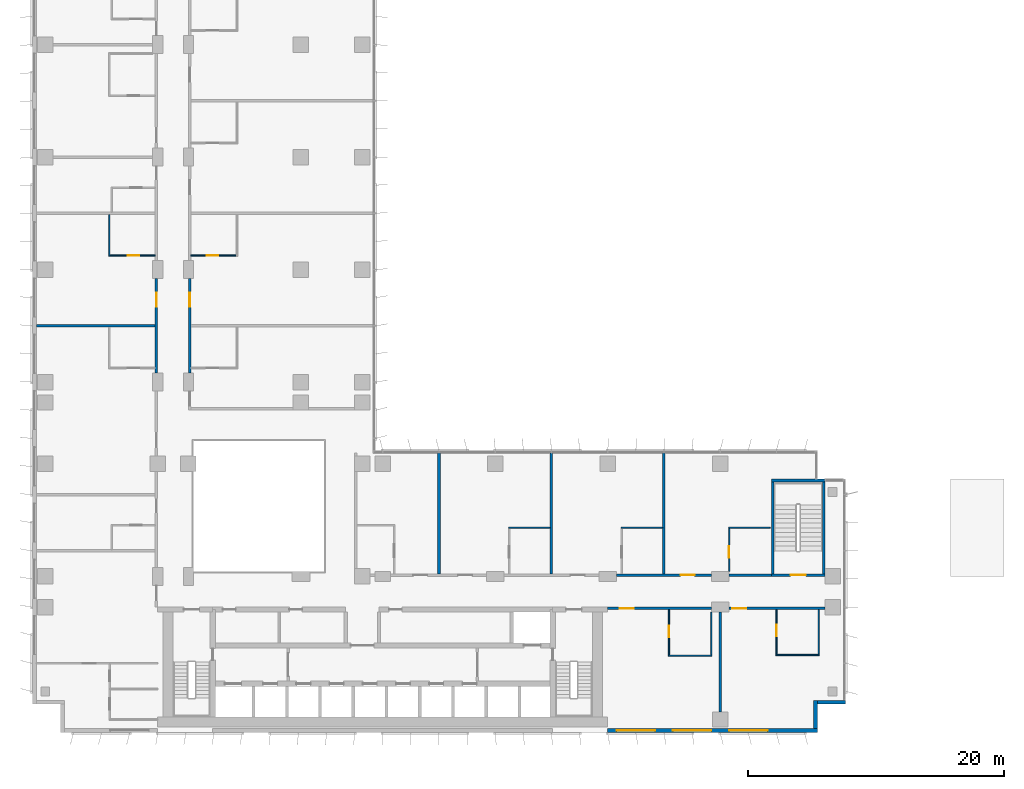
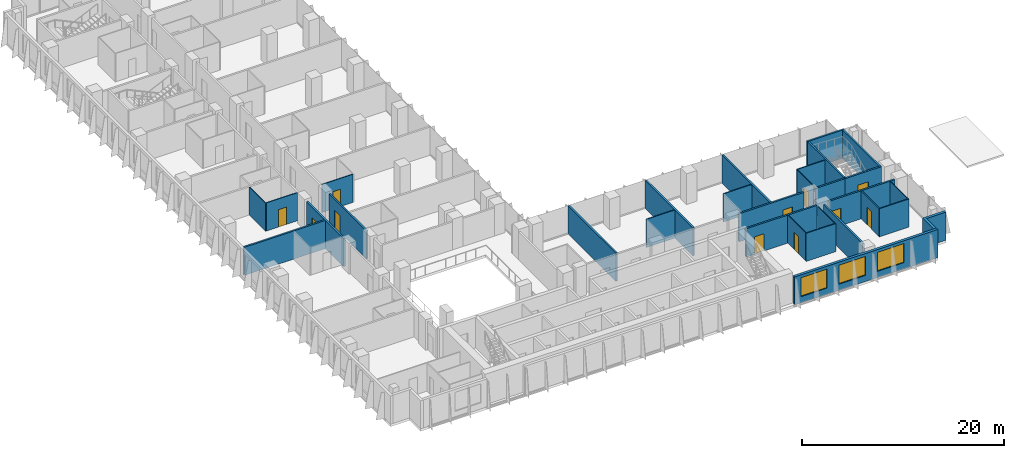
# One storey, part 15 of 22: 31 walls, 11 doors, 3 windows, 14 openings.
"""IFC4 building model written with IfcOpenShell, lengths in metres."""

from ifc_helpers import new_model, si_unit, direction, frame, frame_2d, origin, place, context, subcontext, project, spatial, rectangle, extrude, material, layer, layer_set, type_object, element, fill, save


model = new_model("IFC4")

# Units and contexts
model_context = context("Model", 3, precision=1e-05, world=origin(), true_north=direction((0.0, 1.0)))
body_context = subcontext(model_context, "Body", "Model", "MODEL_VIEW")
ifc_project = project(units=[si_unit("LENGTHUNIT", "METRE"), si_unit("AREAUNIT", "SQUARE_METRE"), si_unit("VOLUMEUNIT", "CUBIC_METRE"), si_unit("PLANEANGLEUNIT", "RADIAN"), si_unit("MASSUNIT", "GRAM", prefix="KILO")], contexts=[model_context])

# Site, building, storey
site_placement = place(None, origin())
site = spatial("IfcSite", under=ifc_project, at=site_placement, CompositionType="ELEMENT")
building_placement = place(site_placement, origin())
building = spatial("IfcBuilding", under=site, at=building_placement, Name="Kemantara Hotel Tower", CompositionType="ELEMENT")
storey_placement = place(building_placement, frame((0.0, 0.0, 87.10009765625)))
storey = spatial("IfcBuildingStorey", under=building, at=storey_placement, Name="L20", CompositionType="ELEMENT", Elevation=87.10009765625)

# Wall, openings, windows
ifc_material_1 = material(Name="Bronze anodised aluminium cladding on insulated steel stud wall", Category="steel")
ifc_layer_1 = layer(ifc_material_1, 0.300048828125)
ifc_layer_set_1 = layer_set([ifc_layer_1], Name="Bronze anodised aluminium cladding on insulated steel stud wall")
wall_type_1 = type_object("IfcWallType", Name="BRONZE METAL-CLAD EXTERNAL WALL 300", PredefinedType="STANDARD", material=ifc_layer_set_1)
wall_1_placement = place(storey_placement, frame((45.0, 0.14990234375, 0.0), z_axis=(0.0, 0.0, 1.0), x_axis=(1.0, 0.0, 0.0)))
wall_1 = element("IfcWall", 1, at=wall_1_placement, inside=storey, type_object=wall_type_1, Name="EXTERNAL WALL L20 T2-R07-3", PredefinedType="STANDARD", context=body_context, shape_type="SweptSolid", body=[
    extrude(rectangle(XDim=16.39990234375, YDim=0.300048828125, at=frame_2d((8.199951171875, 0.0))), origin(), (0.0, 0.0, 1.0), 3.39990234375),
])
opening_1_placement = place(wall_1_placement, frame((0.699951171875, 0.0, 0.75)))
opening_1 = element("IfcOpeningElement", 2, at=opening_1_placement, cuts=wall_1, Name="Opening W1", PredefinedType="OPENING", context=body_context, shape_type="SweptSolid", body=[
    extrude(rectangle(XDim=3.0, YDim=2.300048828125, at=frame_2d((1.5, 1.14990234375))), frame((0.0, 0.159912109375, 0.0), z_axis=(0.0, -1.0, 0.0), x_axis=(1.0, 0.0, 0.0)), (0.0, 0.0, 1.0), 0.320068359375),
])
opening_2_placement = place(wall_1_placement, frame((5.10009765625, 0.0, 0.75)))
opening_2 = element("IfcOpeningElement", 3, at=opening_2_placement, cuts=wall_1, Name="Opening W1", PredefinedType="OPENING", context=body_context, shape_type="SweptSolid", body=[
    extrude(rectangle(XDim=3.0, YDim=2.300048828125, at=frame_2d((1.5, 1.14990234375))), frame((0.0, 0.159912109375, 0.0), z_axis=(0.0, -1.0, 0.0), x_axis=(1.0, 0.0, 0.0)), (0.0, 0.0, 1.0), 0.320068359375),
])
opening_3_placement = place(wall_1_placement, frame((9.5, 0.0, 0.75)))
opening_3 = element("IfcOpeningElement", 4, at=opening_3_placement, cuts=wall_1, Name="Opening W1", PredefinedType="OPENING", context=body_context, shape_type="SweptSolid", body=[
    extrude(rectangle(XDim=3.0, YDim=2.300048828125, at=frame_2d((1.5, 1.14990234375))), frame((0.0, 0.159912109375, 0.0), z_axis=(0.0, -1.0, 0.0), x_axis=(1.0, 0.0, 0.0)), (0.0, 0.0, 1.0), 0.320068359375),
])
ifc_material_2 = material(Name="Low-E tinted double insulated glass in bronze anodised aluminium frame", Category="aluminium")
window_type = type_object("IfcWindowType", Name="CHICAGO WINDOW, TRIPLE PANEL 3000x2300", PartitioningType="TRIPLE_PANEL_VERTICAL", PredefinedType="WINDOW", material=ifc_material_2)
window_1_placement = place(opening_1_placement, origin())
window_1 = element("IfcWindow", 5, at=window_1_placement, inside=storey, type_object=window_type, Name="CHICAGO WINDOW L20 T2-R07-450", OverallHeight=2.300048828125, OverallWidth=3.0, PartitioningType="SINGLE_PANEL", PredefinedType="WINDOW", context=body_context, shape_type="SweptSolid", body=[
    extrude(rectangle(XDim=3.0, YDim=2.300048828125, at=frame_2d((1.5, 1.14990234375))), frame((0.0, 0.030029296875, 0.0), z_axis=(0.0, -1.0, 0.0), x_axis=(1.0, 0.0, 0.0)), (0.0, 0.0, 1.0), 0.06005859375),
])
fill(opening_1, window_1)
window_2_placement = place(opening_2_placement, origin())
window_2 = element("IfcWindow", 6, at=window_2_placement, inside=storey, type_object=window_type, Name="CHICAGO WINDOW L20 T2-R07-494", OverallHeight=2.300048828125, OverallWidth=3.0, PartitioningType="SINGLE_PANEL", PredefinedType="WINDOW", context=body_context, shape_type="SweptSolid", body=[
    extrude(rectangle(XDim=3.0, YDim=2.300048828125, at=frame_2d((1.5, 1.14990234375))), frame((0.0, 0.030029296875, 0.0), z_axis=(0.0, -1.0, 0.0), x_axis=(1.0, 0.0, 0.0)), (0.0, 0.0, 1.0), 0.06005859375),
])
fill(opening_2, window_2)
window_3_placement = place(opening_3_placement, origin())
window_3 = element("IfcWindow", 7, at=window_3_placement, inside=storey, type_object=window_type, Name="CHICAGO WINDOW L20 T2-R07-538", OverallHeight=2.300048828125, OverallWidth=3.0, PartitioningType="SINGLE_PANEL", PredefinedType="WINDOW", context=body_context, shape_type="SweptSolid", body=[
    extrude(rectangle(XDim=3.0, YDim=2.300048828125, at=frame_2d((1.5, 1.14990234375))), frame((0.0, 0.030029296875, 0.0), z_axis=(0.0, -1.0, 0.0), x_axis=(1.0, 0.0, 0.0)), (0.0, 0.0, 1.0), 0.06005859375),
])
fill(opening_3, window_3)

# Walls
wall_2_placement = place(storey_placement, frame((61.25, 0.300048828125, 0.0), z_axis=(0.0, 0.0, 1.0), x_axis=(0.0, 1.0, 0.0)))
element("IfcWall", 8, at=wall_2_placement, inside=storey, type_object=wall_type_1, Name="EXTERNAL WALL L20 T2-R08", PredefinedType="STANDARD", context=body_context, shape_type="SweptSolid", body=[
    extrude(rectangle(XDim=2.199951171875, YDim=0.300048828125, at=frame_2d((1.10009765625, 0.0))), origin(), (0.0, 0.0, 1.0), 3.39990234375),
])
wall_3_placement = place(storey_placement, frame((61.39990234375, 2.35009765625, 0.0), z_axis=(0.0, 0.0, 1.0), x_axis=(1.0, 0.0, 0.0)))
element("IfcWall", 9, at=wall_3_placement, inside=storey, type_object=wall_type_1, Name="EXTERNAL WALL L20 T2-R09", PredefinedType="STANDARD", context=body_context, shape_type="SweptSolid", body=[
    extrude(rectangle(XDim=2.2001953125, YDim=0.300048828125, at=frame_2d((1.10009765625, 0.0))), origin(), (0.0, 0.0, 1.0), 3.39990234375),
])

# Wall, opening, door
ifc_material_3 = material(Name="Gypsum board partition, steel studs and mineral wool, 200 mm", Category="steel")
ifc_layer_2 = layer(ifc_material_3, 0.199951171875)
ifc_layer_set_2 = layer_set([ifc_layer_2], Name="Gypsum board partition, steel studs and mineral wool, 200 mm")
wall_type_2 = type_object("IfcWallType", Name="CORRIDOR WALL 200", PredefinedType="PARTITIONING", material=ifc_layer_set_2)
wall_4_placement = place(storey_placement, frame((53.099853515625, 9.699951171875, 0.0), z_axis=(0.0, 0.0, 1.0), x_axis=(-1.0, 0.0, 0.0)))
wall_4 = element("IfcWall", 10, at=wall_4_placement, inside=storey, type_object=wall_type_2, Name="CORRIDOR WALL 200 001", PredefinedType="PARTITIONING", context=body_context, shape_type="SweptSolid", body=[
    extrude(rectangle(XDim=8.099853515625, YDim=0.199951171875, at=frame_2d((4.0498046875, 0.0))), origin(), (0.0, 0.0, 1.0), 3.39990234375),
])
opening_4_placement = place(wall_4_placement, frame((6.0498046875, 0.0, 0.0)))
opening_4 = element("IfcOpeningElement", 11, at=opening_4_placement, cuts=wall_4, Name="Opening F07-001", PredefinedType="OPENING", context=body_context, shape_type="SweptSolid", body=[
    extrude(rectangle(XDim=1.10009765625, YDim=2.10009765625, at=frame_2d((0.550048828125, 1.050048828125))), frame((0.0, 0.10986328125, 0.0), z_axis=(0.0, -1.0, 0.0), x_axis=(1.0, 0.0, 0.0)), (0.0, 0.0, 1.0), 0.219970703125),
])
ifc_material_4 = material(Name="Hardwood veneer door leaf with steel frame", Category="steel")
door_type_1 = type_object("IfcDoorType", Name="SUITE ENTRANCE DOOR 1100 X 2100 FD30S", OperationType="NOTDEFINED", PredefinedType="DOOR", material=ifc_material_4)
door_1_placement = place(opening_4_placement, origin())
door_1 = element("IfcDoor", 12, at=door_1_placement, inside=storey, type_object=door_type_1, Name="SUITE ENTRANCE DOOR F07-001", OperationType="SINGLE_SWING_RIGHT", OverallHeight=2.10009765625, OverallWidth=1.10009765625, PredefinedType="DOOR", context=body_context, shape_type="SweptSolid", body=[
    extrude(rectangle(XDim=1.10009765625, YDim=2.10009765625, at=frame_2d((0.550048828125, 1.050048828125))), frame((0.0, 0.02490234375, 0.0), z_axis=(0.0, -1.0, 0.0), x_axis=(1.0, 0.0, 0.0)), (0.0, 0.0, 1.0), 0.050048828125),
])
fill(opening_4, door_1)

wall_5_placement = place(storey_placement, frame((62.0, 9.699951171875, 0.0), z_axis=(0.0, 0.0, 1.0), x_axis=(-1.0, 0.0, 0.0)))
wall_5 = element("IfcWall", 13, at=wall_5_placement, inside=storey, type_object=wall_type_2, Name="CORRIDOR WALL 200 002", PredefinedType="PARTITIONING", context=body_context, shape_type="SweptSolid", body=[
    extrude(rectangle(XDim=7.5, YDim=0.199951171875, at=frame_2d((3.75, 0.0))), origin(), (0.0, 0.0, 1.0), 3.39990234375),
])
opening_5_placement = place(wall_5_placement, frame((6.14990234375, 0.0, 0.0)))
opening_5 = element("IfcOpeningElement", 14, at=opening_5_placement, cuts=wall_5, Name="Opening F07-003", PredefinedType="OPENING", context=body_context, shape_type="SweptSolid", body=[
    extrude(rectangle(XDim=1.10009765625, YDim=2.10009765625, at=frame_2d((0.550048828125, 1.050048828125))), frame((0.0, 0.10986328125, 0.0), z_axis=(0.0, -1.0, 0.0), x_axis=(1.0, 0.0, 0.0)), (0.0, 0.0, 1.0), 0.219970703125),
])
door_2_placement = place(opening_5_placement, origin())
door_2 = element("IfcDoor", 15, at=door_2_placement, inside=storey, type_object=door_type_1, Name="SUITE ENTRANCE DOOR F07-003", OperationType="SINGLE_SWING_RIGHT", OverallHeight=2.10009765625, OverallWidth=1.10009765625, PredefinedType="DOOR", context=body_context, shape_type="SweptSolid", body=[
    extrude(rectangle(XDim=1.10009765625, YDim=2.10009765625, at=frame_2d((0.550048828125, 1.050048828125))), frame((0.0, 0.02490234375, 0.0), z_axis=(0.0, -1.0, 0.0), x_axis=(1.0, 0.0, 0.0)), (0.0, 0.0, 1.0), 0.050048828125),
])
fill(opening_5, door_2)

wall_6_placement = place(storey_placement, frame((45.7001953125, 12.300048828125, 0.0), z_axis=(0.0, 0.0, 1.0), x_axis=(1.0, 0.0, 0.0)))
wall_6 = element("IfcWall", 16, at=wall_6_placement, inside=storey, type_object=wall_type_2, Name="CORRIDOR WALL 200 007", PredefinedType="PARTITIONING", context=body_context, shape_type="SweptSolid", body=[
    extrude(rectangle(XDim=7.399658203125, YDim=0.199951171875, at=frame_2d((3.69970703125, 0.0))), origin(), (0.0, 0.0, 1.0), 3.39990234375),
])
opening_6_placement = place(wall_6_placement, frame((5.0, 0.0, 0.0)))
opening_6 = element("IfcOpeningElement", 17, at=opening_6_placement, cuts=wall_6, Name="Opening F07-011", PredefinedType="OPENING", context=body_context, shape_type="SweptSolid", body=[
    extrude(rectangle(XDim=1.10009765625, YDim=2.10009765625, at=frame_2d((0.550048828125, 1.050048828125))), frame((0.0, 0.10986328125, 0.0), z_axis=(0.0, -1.0, 0.0), x_axis=(1.0, 0.0, 0.0)), (0.0, 0.0, 1.0), 0.219970703125),
])
door_3_placement = place(opening_6_placement, origin())
door_3 = element("IfcDoor", 18, at=door_3_placement, inside=storey, type_object=door_type_1, Name="SUITE ENTRANCE DOOR F07-011", OperationType="SINGLE_SWING_LEFT", OverallHeight=2.10009765625, OverallWidth=1.10009765625, PredefinedType="DOOR", context=body_context, shape_type="SweptSolid", body=[
    extrude(rectangle(XDim=1.10009765625, YDim=2.10009765625, at=frame_2d((0.550048828125, 1.050048828125))), frame((0.0, 0.02490234375, 0.0), z_axis=(0.0, -1.0, 0.0), x_axis=(1.0, 0.0, 0.0)), (0.0, 0.0, 1.0), 0.050048828125),
])
fill(opening_6, door_3)

# Wall
wall_7_placement = place(storey_placement, frame((54.5, 12.300048828125, 0.0), z_axis=(0.0, 0.0, 1.0), x_axis=(1.0, 0.0, 0.0)))
element("IfcWall", 19, at=wall_7_placement, inside=storey, type_object=wall_type_2, Name="CORRIDOR WALL 200 008", PredefinedType="PARTITIONING", context=body_context, shape_type="SweptSolid", body=[
    extrude(rectangle(XDim=3.300048828125, YDim=0.199951171875, at=frame_2d((1.64990234375, 0.0))), origin(), (0.0, 0.0, 1.0), 3.39990234375),
])

# Wall, opening, door
wall_8_placement = place(storey_placement, frame((9.699951171875, 28.10009765625, 0.0), z_axis=(0.0, 0.0, 1.0), x_axis=(0.0, 1.0, 0.0)))
wall_8 = element("IfcWall", 20, at=wall_8_placement, inside=storey, type_object=wall_type_2, Name="CORRIDOR WALL 200 017", PredefinedType="PARTITIONING", context=body_context, shape_type="SweptSolid", body=[
    extrude(rectangle(XDim=7.39990234375, YDim=0.199951171875, at=frame_2d((3.699951171875, 0.0))), origin(), (0.0, 0.0, 1.0), 3.39990234375),
])
opening_7_placement = place(wall_8_placement, frame((5.199951171875, 0.0, 0.0)))
opening_7 = element("IfcOpeningElement", 21, at=opening_7_placement, cuts=wall_8, Name="Opening F07-021", PredefinedType="OPENING", context=body_context, shape_type="SweptSolid", body=[
    extrude(rectangle(XDim=1.10009765625, YDim=2.10009765625, at=frame_2d((0.550048828125, 1.050048828125))), frame((0.0, 0.10986328125, 0.0), z_axis=(0.0, -1.0, 0.0), x_axis=(1.0, 0.0, 0.0)), (0.0, 0.0, 1.0), 0.219970703125),
])
door_4_placement = place(opening_7_placement, origin())
door_4 = element("IfcDoor", 22, at=door_4_placement, inside=storey, type_object=door_type_1, Name="SUITE ENTRANCE DOOR F07-021", OperationType="SINGLE_SWING_LEFT", OverallHeight=2.10009765625, OverallWidth=1.10009765625, PredefinedType="DOOR", context=body_context, shape_type="SweptSolid", body=[
    extrude(rectangle(XDim=1.10009765625, YDim=2.10009765625, at=frame_2d((0.550048828125, 1.050048828125))), frame((0.0, 0.02490234375, 0.0), z_axis=(0.0, -1.0, 0.0), x_axis=(1.0, 0.0, 0.0)), (0.0, 0.0, 1.0), 0.050048828125),
])
fill(opening_7, door_4)

wall_9_placement = place(storey_placement, frame((12.300048828125, 35.5, 0.0), z_axis=(0.0, 0.0, 1.0), x_axis=(0.0, -1.0, 0.0)))
wall_9 = element("IfcWall", 23, at=wall_9_placement, inside=storey, type_object=wall_type_2, Name="CORRIDOR WALL 200 032", PredefinedType="PARTITIONING", context=body_context, shape_type="SweptSolid", body=[
    extrude(rectangle(XDim=7.39990234375, YDim=0.199951171875, at=frame_2d((3.699951171875, 0.0))), origin(), (0.0, 0.0, 1.0), 3.39990234375),
])
opening_8_placement = place(wall_9_placement, frame((1.099853515625, 0.0, 0.0)))
opening_8 = element("IfcOpeningElement", 24, at=opening_8_placement, cuts=wall_9, Name="Opening F07-035", PredefinedType="OPENING", context=body_context, shape_type="SweptSolid", body=[
    extrude(rectangle(XDim=1.10009765625, YDim=2.10009765625, at=frame_2d((0.550048828125, 1.050048828125))), frame((0.0, 0.10986328125, 0.0), z_axis=(0.0, -1.0, 0.0), x_axis=(1.0, 0.0, 0.0)), (0.0, 0.0, 1.0), 0.219970703125),
])
door_5_placement = place(opening_8_placement, origin())
door_5 = element("IfcDoor", 25, at=door_5_placement, inside=storey, type_object=door_type_1, Name="SUITE ENTRANCE DOOR F07-035", OperationType="SINGLE_SWING_RIGHT", OverallHeight=2.10009765625, OverallWidth=1.10009765625, PredefinedType="DOOR", context=body_context, shape_type="SweptSolid", body=[
    extrude(rectangle(XDim=1.10009765625, YDim=2.10009765625, at=frame_2d((0.550048828125, 1.050048828125))), frame((0.0, 0.02490234375, 0.0), z_axis=(0.0, -1.0, 0.0), x_axis=(1.0, 0.0, 0.0)), (0.0, 0.0, 1.0), 0.050048828125),
])
fill(opening_8, door_5)

ifc_material_5 = material(Name="Concrete fc 40 MPa", Category="concrete")
ifc_layer_3 = layer(ifc_material_5, 0.199951171875)
ifc_layer_set_3 = layer_set([ifc_layer_3], Name="Concrete fc 40 MPa")
wall_type_3 = type_object("IfcWallType", Name="Concrete stair wall 200 mm", PredefinedType="SHEAR", material=ifc_layer_set_3)
wall_10_placement = place(storey_placement, frame((57.800048828125, 12.300048828125, 0.0), z_axis=(0.0, 0.0, 1.0), x_axis=(1.0, 0.0, 0.0)))
wall_10 = element("IfcWall", 26, at=wall_10_placement, inside=storey, type_object=wall_type_3, Name="Stair ST3 enclosure wall with door", PredefinedType="SHEAR", context=body_context, shape_type="SweptSolid", body=[
    extrude(rectangle(XDim=4.199951171875, YDim=0.199951171875, at=frame_2d((2.10009765625, 0.0))), origin(), (0.0, 0.0, 1.0), 3.39990234375),
])
opening_9_placement = place(wall_10_placement, frame((1.5, 0.0, 0.0)))
opening_9 = element("IfcOpeningElement", 27, at=opening_9_placement, cuts=wall_10, Name="Opening ST3-C", PredefinedType="OPENING", context=body_context, shape_type="SweptSolid", body=[
    extrude(rectangle(XDim=1.199951171875, YDim=2.10009765625, at=frame_2d((0.60009765625, 1.050048828125))), frame((0.0, 0.10986328125, 0.0), z_axis=(0.0, -1.0, 0.0), x_axis=(1.0, 0.0, 0.0)), (0.0, 0.0, 1.0), 0.219970703125),
])
ifc_material_6 = material(Name="Steel fire door", Category="steel")
door_type_2 = type_object("IfcDoorType", Name="Fire door FD90 1200 x 2100", OperationType="NOTDEFINED", PredefinedType="DOOR", material=ifc_material_6)
door_6_placement = place(opening_9_placement, origin())
door_6 = element("IfcDoor", 28, at=door_6_placement, inside=storey, type_object=door_type_2, Name="Stair ST3 door", OperationType="SINGLE_SWING_RIGHT", OverallHeight=2.10009765625, OverallWidth=1.199951171875, PredefinedType="DOOR", context=body_context, shape_type="SweptSolid", body=[
    extrude(rectangle(XDim=1.199951171875, YDim=2.10009765625, at=frame_2d((0.60009765625, 1.050048828125))), frame((0.0, 0.02490234375, 0.0), z_axis=(0.0, -1.0, 0.0), x_axis=(1.0, 0.0, 0.0)), (0.0, 0.0, 1.0), 0.050048828125),
])
fill(opening_9, door_6)

# Walls
wall_11_placement = place(storey_placement, frame((57.800048828125, 19.699951171875, 0.0), z_axis=(0.0, 0.0, 1.0), x_axis=(1.0, 0.0, 0.0)))
element("IfcWall", 29, at=wall_11_placement, inside=storey, type_object=wall_type_3, Name="Stair ST3 enclosure wall N", PredefinedType="SHEAR", context=body_context, shape_type="SweptSolid", body=[
    extrude(rectangle(XDim=4.199951171875, YDim=0.199951171875, at=frame_2d((2.10009765625, 0.0))), origin(), (0.0, 0.0, 1.0), 3.39990234375),
])
for number, where, z_axis, x_axis, name in (
    (30, (57.89990234375, 12.39990234375, 0.0), (0.0, 0.0, 1.0), (0.0, 1.0, 0.0), "Stair ST3 enclosure wall W"),
    (31, (61.89990234375, 12.39990234375, 0.0), (0.0, 0.0, 1.0), (0.0, 1.0, 0.0), "Stair ST3 enclosure wall E"),
):
    element("IfcWall", number, at=place(storey_placement, frame(where, z_axis=z_axis, x_axis=x_axis)), inside=storey, type_object=wall_type_3, Name=name, PredefinedType="SHEAR", context=body_context, shape_type="SweptSolid", body=[
        extrude(rectangle(XDim=7.2001953125, YDim=0.199951171875, at=frame_2d((3.60009765625, 0.0))), origin(), (0.0, 0.0, 1.0), 3.39990234375),
    ])
ifc_layer_4 = layer(ifc_material_3, 0.199951171875)
ifc_layer_set_4 = layer_set([ifc_layer_4], Name="Gypsum board partition, steel studs and mineral wool, 200 mm")
wall_type_4 = type_object("IfcWallType", Name="GUEST ROOM PARTY WALL 200", PredefinedType="PARTITIONING", material=ifc_layer_set_4)
wall_12_placement = place(storey_placement, frame((53.800048828125, 1.60009765625, 0.0), z_axis=(0.0, 0.0, 1.0), x_axis=(0.0, 1.0, 0.0)))
element("IfcWall", 32, at=wall_12_placement, inside=storey, type_object=wall_type_4, Name="GUEST ROOM PARTY WALL 200 003", PredefinedType="PARTITIONING", context=body_context, shape_type="SweptSolid", body=[
    extrude(rectangle(XDim=7.7998046875, YDim=0.199951171875, at=frame_2d((3.89990234375, 0.0))), origin(), (0.0, 0.0, 1.0), 3.39990234375),
])
for number, where, z_axis, x_axis, name in (
    (33, (31.800048828125, 12.39990234375, 0.0), (0.0, 0.0, 1.0), (0.0, 1.0, 0.0), "GUEST ROOM PARTY WALL 200 011"),
    (34, (40.60009765625, 12.39990234375, 0.0), (0.0, 0.0, 1.0), (0.0, 1.0, 0.0), "GUEST ROOM PARTY WALL 200 012"),
    (35, (49.39990234375, 12.39990234375, 0.0), (0.0, 0.0, 1.0), (0.0, 1.0, 0.0), "GUEST ROOM PARTY WALL 200 013"),
):
    element("IfcWall", number, at=place(storey_placement, frame(where, z_axis=z_axis, x_axis=x_axis)), inside=storey, type_object=wall_type_4, Name=name, PredefinedType="PARTITIONING", context=body_context, shape_type="SweptSolid", body=[
        extrude(rectangle(XDim=9.47021484375, YDim=0.199951171875, at=frame_2d((4.735107421875, 0.0))), origin(), (0.0, 0.0, 1.0), 3.39990234375),
    ])
wall_13_placement = place(storey_placement, frame((0.31005859375, 31.800048828125, 0.0), z_axis=(0.0, 0.0, 1.0), x_axis=(1.0, 0.0, 0.0)))
element("IfcWall", 36, at=wall_13_placement, inside=storey, type_object=wall_type_4, Name="GUEST ROOM PARTY WALL 200 025", PredefinedType="PARTITIONING", context=body_context, shape_type="SweptSolid", body=[
    extrude(rectangle(XDim=9.2900390625, YDim=0.199951171875, at=frame_2d((4.64501953125, 0.0))), origin(), (0.0, 0.0, 1.0), 3.39990234375),
])
ifc_material_7 = material(Name="Gypsum board partition on steel studs, 100 mm", Category="steel")
ifc_layer_5 = layer(ifc_material_7, 0.10009765625)
ifc_layer_set_5 = layer_set([ifc_layer_5], Name="Gypsum board partition on steel studs, 100 mm")
wall_type_5 = type_object("IfcWallType", Name="ROOM PARTITION 100", PredefinedType="PARTITIONING", material=ifc_layer_set_5)
wall_14_placement = place(storey_placement, frame((49.75, 6.0, 0.0), z_axis=(0.0, 0.0, 1.0), x_axis=(1.0, 0.0, 0.0)))
element("IfcWall", 37, at=wall_14_placement, inside=storey, type_object=wall_type_5, Name="ROOM PARTITION 100 045", PredefinedType="PARTITIONING", context=body_context, shape_type="SweptSolid", body=[
    extrude(rectangle(XDim=3.39990234375, YDim=0.10009765625, at=frame_2d((1.699951171875, 0.0))), origin(), (0.0, 0.0, 1.0), 3.39990234375),
])

# Wall, opening, door
wall_15_placement = place(storey_placement, frame((49.800048828125, 9.60009765625, 0.0), z_axis=(0.0, 0.0, 1.0), x_axis=(0.0, -1.0, 0.0)))
wall_15 = element("IfcWall", 38, at=wall_15_placement, inside=storey, type_object=wall_type_5, Name="ROOM PARTITION 100 046", PredefinedType="PARTITIONING", context=body_context, shape_type="SweptSolid", body=[
    extrude(rectangle(XDim=3.550048828125, YDim=0.10009765625, at=frame_2d((1.77490234375, 0.0))), origin(), (0.0, 0.0, 1.0), 3.39990234375),
])
opening_10_placement = place(wall_15_placement, frame((1.25, 0.0, 0.0)))
opening_10 = element("IfcOpeningElement", 39, at=opening_10_placement, cuts=wall_15, Name="Opening F07-002", PredefinedType="OPENING", context=body_context, shape_type="SweptSolid", body=[
    extrude(rectangle(XDim=0.89990234375, YDim=2.10009765625, at=frame_2d((0.449951171875, 1.050048828125))), frame((0.0, 0.06005859375, 0.0), z_axis=(0.0, -1.0, 0.0), x_axis=(1.0, 0.0, 0.0)), (0.0, 0.0, 1.0), 0.1201171875),
])
door_type_3 = type_object("IfcDoorType", Name="BATHROOM DOOR 900 X 2100", OperationType="NOTDEFINED", PredefinedType="DOOR", material=ifc_material_4)
door_7_placement = place(opening_10_placement, origin())
door_7 = element("IfcDoor", 40, at=door_7_placement, inside=storey, type_object=door_type_3, Name="BATHROOM DOOR F07-002", OperationType="SINGLE_SWING_LEFT", OverallHeight=2.10009765625, OverallWidth=0.89990234375, PredefinedType="DOOR", context=body_context, shape_type="SweptSolid", body=[
    extrude(rectangle(XDim=0.89990234375, YDim=2.10009765625, at=frame_2d((0.449951171875, 1.050048828125))), frame((0.0, 0.02490234375, 0.0), z_axis=(0.0, -1.0, 0.0), x_axis=(1.0, 0.0, 0.0)), (0.0, 0.0, 1.0), 0.050048828125),
])
fill(opening_10, door_7)

# Walls
wall_16_placement = place(storey_placement, frame((53.10009765625, 6.050048828125, 0.0), z_axis=(0.0, 0.0, 1.0), x_axis=(0.0, 1.0, 0.0)))
element("IfcWall", 41, at=wall_16_placement, inside=storey, type_object=wall_type_5, Name="ROOM PARTITION 100 047", PredefinedType="PARTITIONING", context=body_context, shape_type="SweptSolid", body=[
    extrude(rectangle(XDim=3.349853515625, YDim=0.10009765625, at=frame_2d((1.6748046875, 0.0))), origin(), (0.0, 0.0, 1.0), 3.39990234375),
])
wall_17_placement = place(storey_placement, frame((58.14990234375, 6.050048828125, 0.0), z_axis=(0.0, 0.0, 1.0), x_axis=(1.0, 0.0, 0.0)))
element("IfcWall", 42, at=wall_17_placement, inside=storey, type_object=wall_type_5, Name="ROOM PARTITION 100 048", PredefinedType="PARTITIONING", context=body_context, shape_type="SweptSolid", body=[
    extrude(rectangle(XDim=3.400146484375, YDim=0.10009765625, at=frame_2d((1.7001953125, 0.0))), origin(), (0.0, 0.0, 1.0), 3.39990234375),
])

# Wall, opening, door
wall_18_placement = place(storey_placement, frame((58.199951171875, 9.60009765625, 0.0), z_axis=(0.0, 0.0, 1.0), x_axis=(0.0, -1.0, 0.0)))
wall_18 = element("IfcWall", 43, at=wall_18_placement, inside=storey, type_object=wall_type_5, Name="ROOM PARTITION 100 049", PredefinedType="PARTITIONING", context=body_context, shape_type="SweptSolid", body=[
    extrude(rectangle(XDim=3.5, YDim=0.10009765625, at=frame_2d((1.75, 0.0))), origin(), (0.0, 0.0, 1.0), 3.39990234375),
])
opening_11_placement = place(wall_18_placement, frame((1.199951171875, 0.0, 0.0)))
opening_11 = element("IfcOpeningElement", 44, at=opening_11_placement, cuts=wall_18, Name="Opening F07-004", PredefinedType="OPENING", context=body_context, shape_type="SweptSolid", body=[
    extrude(rectangle(XDim=0.89990234375, YDim=2.10009765625, at=frame_2d((0.449951171875, 1.050048828125))), frame((0.0, 0.06005859375, 0.0), z_axis=(0.0, -1.0, 0.0), x_axis=(1.0, 0.0, 0.0)), (0.0, 0.0, 1.0), 0.1201171875),
])
door_8_placement = place(opening_11_placement, origin())
door_8 = element("IfcDoor", 45, at=door_8_placement, inside=storey, type_object=door_type_3, Name="BATHROOM DOOR F07-004", OperationType="SINGLE_SWING_LEFT", OverallHeight=2.10009765625, OverallWidth=0.89990234375, PredefinedType="DOOR", context=body_context, shape_type="SweptSolid", body=[
    extrude(rectangle(XDim=0.89990234375, YDim=2.10009765625, at=frame_2d((0.449951171875, 1.050048828125))), frame((0.0, 0.02490234375, 0.0), z_axis=(0.0, -1.0, 0.0), x_axis=(1.0, 0.0, 0.0)), (0.0, 0.0, 1.0), 0.050048828125),
])
fill(opening_11, door_8)

# Walls
wall_19_placement = place(storey_placement, frame((61.5, 6.10009765625, 0.0), z_axis=(0.0, 0.0, 1.0), x_axis=(0.0, 1.0, 0.0)))
element("IfcWall", 46, at=wall_19_placement, inside=storey, type_object=wall_type_5, Name="ROOM PARTITION 100 050", PredefinedType="PARTITIONING", context=body_context, shape_type="SweptSolid", body=[
    extrude(rectangle(XDim=3.5, YDim=0.10009765625, at=frame_2d((1.75, 0.0))), origin(), (0.0, 0.0, 1.0), 3.39990234375),
])
for number, where, z_axis, x_axis, name in (
    (47, (37.25, 16.0, 0.0), (0.0, 0.0, 1.0), (1.0, 0.0, 0.0), "ROOM PARTITION 100 054"),
    (48, (46.050048828125, 16.0, 0.0), (0.0, 0.0, 1.0), (1.0, 0.0, 0.0), "ROOM PARTITION 100 055"),
    (49, (54.449951171875, 16.0, 0.0), (0.0, 0.0, 1.0), (1.0, 0.0, 0.0), "ROOM PARTITION 100 056"),
):
    element("IfcWall", number, at=place(storey_placement, frame(where, z_axis=z_axis, x_axis=x_axis)), inside=storey, type_object=wall_type_5, Name=name, PredefinedType="PARTITIONING", context=body_context, shape_type="SweptSolid", body=[
        extrude(rectangle(XDim=3.25, YDim=0.10009765625, at=frame_2d((1.625, 0.0))), origin(), (0.0, 0.0, 1.0), 3.39990234375),
    ])

# Wall, opening, door
wall_20_placement = place(storey_placement, frame((54.5, 15.949951171875, 0.0), z_axis=(0.0, 0.0, 1.0), x_axis=(0.0, -1.0, 0.0)))
wall_20 = element("IfcWall", 50, at=wall_20_placement, inside=storey, type_object=wall_type_5, Name="ROOM PARTITION 100 059", PredefinedType="PARTITIONING", context=body_context, shape_type="SweptSolid", body=[
    extrude(rectangle(XDim=3.349853515625, YDim=0.10009765625, at=frame_2d((1.6748046875, 0.0))), origin(), (0.0, 0.0, 1.0), 3.39990234375),
])
opening_12_placement = place(wall_20_placement, frame((1.39990234375, 0.0, 0.0)))
opening_12 = element("IfcOpeningElement", 51, at=opening_12_placement, cuts=wall_20, Name="Opening F07-012", PredefinedType="OPENING", context=body_context, shape_type="SweptSolid", body=[
    extrude(rectangle(XDim=0.89990234375, YDim=2.10009765625, at=frame_2d((0.449951171875, 1.050048828125))), frame((0.0, 0.06005859375, 0.0), z_axis=(0.0, -1.0, 0.0), x_axis=(1.0, 0.0, 0.0)), (0.0, 0.0, 1.0), 0.1201171875),
])
door_9_placement = place(opening_12_placement, origin())
door_9 = element("IfcDoor", 52, at=door_9_placement, inside=storey, type_object=door_type_3, Name="BATHROOM DOOR F07-012", OperationType="SINGLE_SWING_RIGHT", OverallHeight=2.10009765625, OverallWidth=0.89990234375, PredefinedType="DOOR", context=body_context, shape_type="SweptSolid", body=[
    extrude(rectangle(XDim=0.89990234375, YDim=2.10009765625, at=frame_2d((0.449951171875, 1.050048828125))), frame((0.0, 0.02490234375, 0.0), z_axis=(0.0, -1.0, 0.0), x_axis=(1.0, 0.0, 0.0)), (0.0, 0.0, 1.0), 0.050048828125),
])
fill(opening_12, door_9)

# Wall
wall_21_placement = place(storey_placement, frame((6.0, 37.25, 0.0), z_axis=(0.0, 0.0, 1.0), x_axis=(0.0, 1.0, 0.0)))
element("IfcWall", 53, at=wall_21_placement, inside=storey, type_object=wall_type_5, Name="ROOM PARTITION 100 069", PredefinedType="PARTITIONING", context=body_context, shape_type="SweptSolid", body=[
    extrude(rectangle(XDim=3.25, YDim=0.10009765625, at=frame_2d((1.625, 0.0))), origin(), (0.0, 0.0, 1.0), 3.39990234375),
])

# Wall, opening, door
wall_22_placement = place(storey_placement, frame((6.050048828125, 37.300048828125, 0.0), z_axis=(0.0, 0.0, 1.0), x_axis=(1.0, 0.0, 0.0)))
wall_22 = element("IfcWall", 54, at=wall_22_placement, inside=storey, type_object=wall_type_5, Name="ROOM PARTITION 100 074", PredefinedType="PARTITIONING", context=body_context, shape_type="SweptSolid", body=[
    extrude(rectangle(XDim=3.550048828125, YDim=0.10009765625, at=frame_2d((1.77490234375, 0.0))), origin(), (0.0, 0.0, 1.0), 3.39990234375),
])
opening_13_placement = place(wall_22_placement, frame((1.39990234375, 0.0, 0.0)))
opening_13 = element("IfcOpeningElement", 55, at=opening_13_placement, cuts=wall_22, Name="Opening F07-022", PredefinedType="OPENING", context=body_context, shape_type="SweptSolid", body=[
    extrude(rectangle(XDim=0.89990234375, YDim=2.10009765625, at=frame_2d((0.449951171875, 1.050048828125))), frame((0.0, 0.06005859375, 0.0), z_axis=(0.0, -1.0, 0.0), x_axis=(1.0, 0.0, 0.0)), (0.0, 0.0, 1.0), 0.1201171875),
])
door_10_placement = place(opening_13_placement, origin())
door_10 = element("IfcDoor", 56, at=door_10_placement, inside=storey, type_object=door_type_3, Name="BATHROOM DOOR F07-022", OperationType="SINGLE_SWING_RIGHT", OverallHeight=2.10009765625, OverallWidth=0.89990234375, PredefinedType="DOOR", context=body_context, shape_type="SweptSolid", body=[
    extrude(rectangle(XDim=0.89990234375, YDim=2.10009765625, at=frame_2d((0.449951171875, 1.050048828125))), frame((0.0, 0.02490234375, 0.0), z_axis=(0.0, -1.0, 0.0), x_axis=(1.0, 0.0, 0.0)), (0.0, 0.0, 1.0), 0.050048828125),
])
fill(opening_13, door_10)

wall_23_placement = place(storey_placement, frame((12.39990234375, 37.300048828125, 0.0), z_axis=(0.0, 0.0, 1.0), x_axis=(1.0, 0.0, 0.0)))
wall_23 = element("IfcWall", 57, at=wall_23_placement, inside=storey, type_object=wall_type_5, Name="ROOM PARTITION 100 075", PredefinedType="PARTITIONING", context=body_context, shape_type="SweptSolid", body=[
    extrude(rectangle(XDim=3.550048828125, YDim=0.10009765625, at=frame_2d((1.77490234375, 0.0))), origin(), (0.0, 0.0, 1.0), 3.39990234375),
])
opening_14_placement = place(wall_23_placement, frame((1.25, 0.0, 0.0)))
opening_14 = element("IfcOpeningElement", 58, at=opening_14_placement, cuts=wall_23, Name="Opening F07-036", PredefinedType="OPENING", context=body_context, shape_type="SweptSolid", body=[
    extrude(rectangle(XDim=0.89990234375, YDim=2.10009765625, at=frame_2d((0.449951171875, 1.050048828125))), frame((0.0, 0.06005859375, 0.0), z_axis=(0.0, -1.0, 0.0), x_axis=(1.0, 0.0, 0.0)), (0.0, 0.0, 1.0), 0.1201171875),
])
door_11_placement = place(opening_14_placement, origin())
door_11 = element("IfcDoor", 59, at=door_11_placement, inside=storey, type_object=door_type_3, Name="BATHROOM DOOR F07-036", OperationType="SINGLE_SWING_LEFT", OverallHeight=2.10009765625, OverallWidth=0.89990234375, PredefinedType="DOOR", context=body_context, shape_type="SweptSolid", body=[
    extrude(rectangle(XDim=0.89990234375, YDim=2.10009765625, at=frame_2d((0.449951171875, 1.050048828125))), frame((0.0, 0.02490234375, 0.0), z_axis=(0.0, -1.0, 0.0), x_axis=(1.0, 0.0, 0.0)), (0.0, 0.0, 1.0), 0.050048828125),
])
fill(opening_14, door_11)

save(model, "model.ifc")
